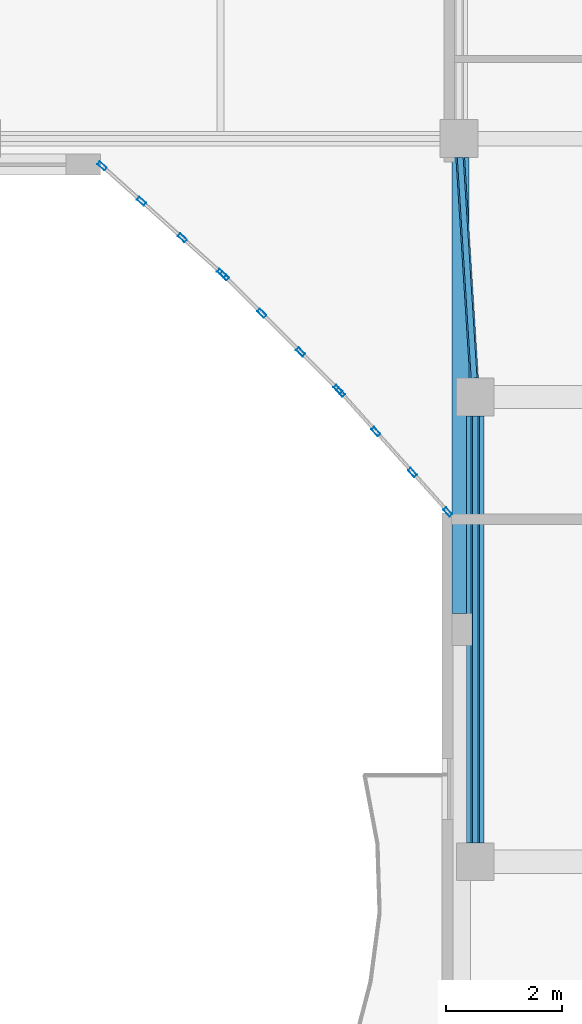
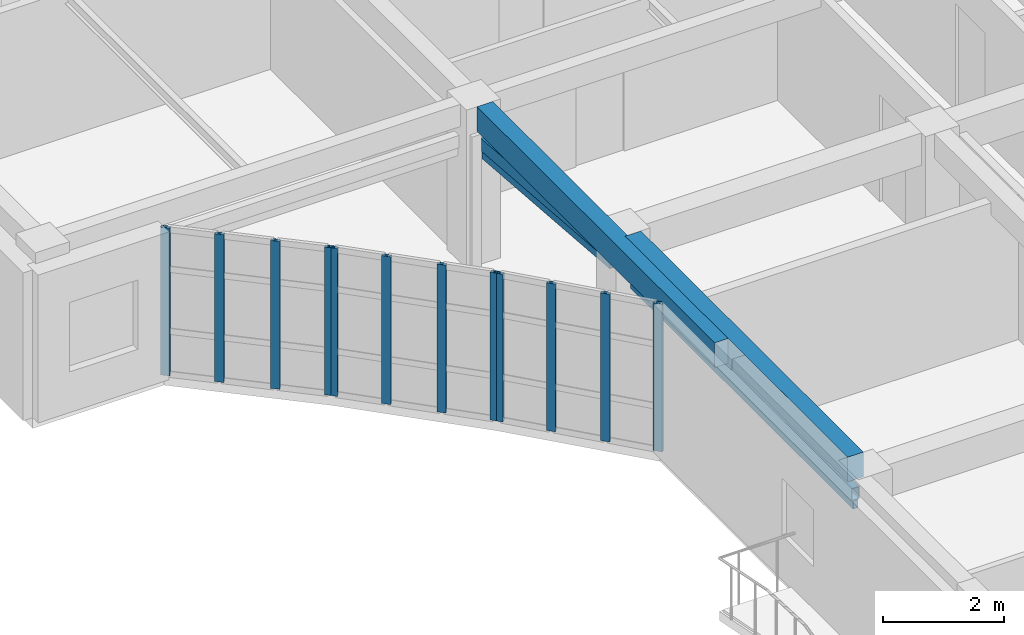
# One storey, part 12 of 89: 16 members, 2 beams, 3 elements without a shape of their own.
"""IFC4 building model written with IfcOpenShell, lengths in metres."""

from ifc_helpers import new_model, si_unit, direction, frame, origin, origin_2d, place, context, subcontext, project, spatial, rectangle, hollow_rectangle, extrude, material, layer, layer_set, material_profile, profile_set, type_object, element, aggregate, save


model = new_model("IFC4")

# Units and contexts
model_context = context("Model", 3, precision=1e-05, world=origin(), true_north=direction((0.0, 1.0)))
body_context = subcontext(model_context, "Body", "Model", "MODEL_VIEW")
ifc_project = project(units=[si_unit("LENGTHUNIT", "METRE"), si_unit("AREAUNIT", "SQUARE_METRE"), si_unit("VOLUMEUNIT", "CUBIC_METRE"), si_unit("PLANEANGLEUNIT", "RADIAN"), si_unit("MASSUNIT", "GRAM", prefix="KILO")], contexts=[model_context])

# Site, building, storey
site_placement = place(None, origin())
site = spatial("IfcSite", under=ifc_project, at=site_placement, CompositionType="ELEMENT")
building_placement = place(site_placement, origin())
building = spatial("IfcBuilding", under=site, at=building_placement, Name="Keldmere Railside Commons", CompositionType="ELEMENT")
storey_placement = place(building_placement, frame((0.0, 0.0, 7.360107421875)))
storey = spatial("IfcBuildingStorey", under=building, at=storey_placement, Name="L02", CompositionType="ELEMENT", Elevation=7.360107421875)

# Members
ifc_material_1 = material(Name="Steel F-36 (S355)", Category="steel")
ifc_material_profile_1 = material_profile(ifc_material_1, hollow_rectangle(XDim=0.14990234375, YDim=0.25, WallThickness=0.010009765625, at=origin_2d()), Name="RHS-250x150x10")
ifc_profile_set_1 = profile_set([ifc_material_profile_1], Name="Steel F-36 (S355)")
member_type_1 = type_object("IfcMemberType", Name="Balcony Continuous Planted Trough RHS250x150", PredefinedType="CHORD", material=ifc_profile_set_1)
member_1_placement = place(storey_placement, frame((48.449951171875, 88.324951171875, 2.414794921875), z_axis=(0.0, 1.0, 0.0), x_axis=(-1.0, 0.0, 0.0)))
element("IfcMember", 1, at=member_1_placement, inside=storey, type_object=member_type_1, Name="PLT-1 MEM-BPLT-0253", PredefinedType="CHORD", context=body_context, shape_type="SweptSolid", body=[
    extrude(hollow_rectangle(XDim=0.14990234375, YDim=0.25, WallThickness=0.010009765625, at=origin_2d()), origin(), (0.0, 0.0, 1.0), 7.35009765625),
])
member_2_placement = place(storey_placement, frame((48.4296875, 96.324462890625, 2.414794921875), z_axis=(-0.062821266469, 0.998024793519, 0.0), x_axis=(-0.998024793519, -0.062821266469, 0.0)))
element("IfcMember", 2, at=member_2_placement, inside=storey, type_object=member_type_1, Name="PLT-1 MEM-BPLT-0255", PredefinedType="CHORD", context=body_context, shape_type="SweptSolid", body=[
    extrude(hollow_rectangle(XDim=0.14990234375, YDim=0.25, WallThickness=0.010009765625, at=origin_2d()), origin(), (0.0, 0.0, 1.0), 3.80859375),
])

# Beams
ifc_material_2 = material(Name="Concrete H-30 (C30/37)", Category="concrete")
ifc_material_profile_2 = material_profile(ifc_material_2, rectangle(XDim=0.300048828125, YDim=0.5, at=origin_2d()), Name="RC-300x500")
ifc_profile_set_2 = profile_set([ifc_material_profile_2], Name="Concrete H-30 (C30/37)")
beam_type = type_object("IfcBeamType", Name="Secondary Frame RC Beam 300x500", PredefinedType="BEAM", material=ifc_profile_set_2)
beam_1_placement = place(storey_placement, frame((48.195068359375, 92.27490234375, 2.949951171875), z_axis=(0.0, 1.0, 0.0), x_axis=(-1.0, 0.0, 0.0)))
element("IfcBeam", 3, at=beam_1_placement, inside=storey, type_object=beam_type, Name="BG-5 BM-L02-1179", PredefinedType="BEAM", context=body_context, shape_type="SweptSolid", body=[
    extrude(rectangle(XDim=0.300048828125, YDim=0.5, at=origin_2d()), origin(), (0.0, 0.0, 1.0), 7.85009765625),
])
beam_2_placement = place(storey_placement, frame((48.449951171875, 88.324951171875, 2.949951171875), z_axis=(0.0, 1.0, 0.0), x_axis=(-1.0, 0.0, 0.0)))
element("IfcBeam", 4, at=beam_2_placement, inside=storey, type_object=beam_type, Name="BG-5 BM-L02-1183", PredefinedType="BEAM", context=body_context, shape_type="SweptSolid", body=[
    extrude(rectangle(XDim=0.300048828125, YDim=0.5, at=origin_2d()), origin(), (0.0, 0.0, 1.0), 7.35009765625),
])

# Members
ifc_material_profile_3 = material_profile(ifc_material_1, hollow_rectangle(XDim=0.10009765625, YDim=0.159912109375, WallThickness=0.008056640625, at=origin_2d()), Name="RHS-160x100x8")
ifc_profile_set_3 = profile_set([ifc_material_profile_3], Name="Steel F-36 (S355)")
member_type_2 = type_object("IfcMemberType", Name="Solar Brise-Soleil Louvre Fin RHS160x100", PredefinedType="STRUT", material=ifc_profile_set_3)
member_3_placement = place(storey_placement, frame((48.449951171875, 88.324951171875, 2.199951171875), z_axis=(0.0, 1.0, 0.0), x_axis=(-1.0, 0.0, 0.0)))
element("IfcMember", 5, at=member_3_placement, inside=storey, type_object=member_type_2, Name="BSF-1 MEM-BSF-0254", PredefinedType="STRUT", context=body_context, shape_type="SweptSolid", body=[
    extrude(hollow_rectangle(XDim=0.10009765625, YDim=0.159912109375, WallThickness=0.008056640625, at=origin_2d()), origin(), (0.0, 0.0, 1.0), 7.35009765625),
])
member_4_placement = place(storey_placement, frame((48.4296875, 96.324462890625, 2.199951171875), z_axis=(-0.062821266469, 0.998024793519, 0.0), x_axis=(-0.998024793519, -0.062821266469, 0.0)))
element("IfcMember", 6, at=member_4_placement, inside=storey, type_object=member_type_2, Name="BSF-1 MEM-BSF-0256", PredefinedType="STRUT", context=body_context, shape_type="SweptSolid", body=[
    extrude(hollow_rectangle(XDim=0.10009765625, YDim=0.159912109375, WallThickness=0.008056640625, at=origin_2d()), origin(), (0.0, 0.0, 1.0), 3.80859375),
])

# Curtain wall, members
ifc_material_3 = material(Name="Thermally Broken Aluminium", Category="aluminium")
ifc_layer_1 = layer(ifc_material_3, 0.159912109375, Name="Court Chord Wintergarden CW 4800x2850")
ifc_layer_set_1 = layer_set([ifc_layer_1], Name="Thermally Broken Aluminium")
curtain_wall_type_1 = type_object("IfcCurtainWallType", Name="Court Chord Wintergarden CW 4800x2850", PredefinedType="NOTDEFINED", material=ifc_layer_set_1)
curtain_wall_1_placement = place(storey_placement, origin())
curtain_wall_1 = element("IfcCurtainWall", 7, at=curtain_wall_1_placement, inside=storey, type_object=curtain_wall_type_1, Name="CW-12 CW-L02-040", PredefinedType="NOTDEFINED")
ifc_material_profile_4 = material_profile(ifc_material_3, hollow_rectangle(XDim=0.06494140625, YDim=0.159912109375, WallThickness=0.00390625, at=origin_2d()), Name="ALU-MULL-65x160")
ifc_profile_set_4 = profile_set([ifc_material_profile_4], Name="Thermally Broken Aluminium")
member_type_3 = type_object("IfcMemberType", Name="Unitised Curtain Wall Mullion 65x160", PredefinedType="MULLION", material=ifc_profile_set_4)
member_5_placement = place(storey_placement, frame((44.083740234375, 98.131591796875, 0.0), z_axis=(0.0, 0.0, 1.0), x_axis=(-0.667558519879, -0.744557333277, 0.0)))
member_5 = element("IfcMember", 8, at=member_5_placement, type_object=member_type_3, Name="CW-12 mullion 1", PredefinedType="MULLION", context=body_context, shape_type="SweptSolid", body=[
    extrude(hollow_rectangle(XDim=0.06494140625, YDim=0.159912109375, WallThickness=0.00390625, at=origin_2d()), origin(), (0.0, 0.0, 1.0), 2.97998046875),
])
member_6_placement = place(storey_placement, frame((43.4052734375, 98.739990234375, 0.0), z_axis=(0.0, 0.0, 1.0), x_axis=(-0.667558519879, -0.744557333277, 0.0)))
member_6 = element("IfcMember", 9, at=member_6_placement, type_object=member_type_3, Name="CW-12 mullion 2", PredefinedType="MULLION", context=body_context, shape_type="SweptSolid", body=[
    extrude(hollow_rectangle(XDim=0.06494140625, YDim=0.159912109375, WallThickness=0.00390625, at=origin_2d()), origin(), (0.0, 0.0, 1.0), 2.97998046875),
])
member_7_placement = place(storey_placement, frame((42.70263671875, 99.3701171875, 0.0), z_axis=(0.0, 0.0, 1.0), x_axis=(-0.667558519879, -0.744557333277, 0.0)))
member_7 = element("IfcMember", 10, at=member_7_placement, type_object=member_type_3, Name="CW-12 mullion 3", PredefinedType="MULLION", context=body_context, shape_type="SweptSolid", body=[
    extrude(hollow_rectangle(XDim=0.06494140625, YDim=0.159912109375, WallThickness=0.00390625, at=origin_2d()), origin(), (0.0, 0.0, 1.0), 2.97998046875),
])
member_8_placement = place(storey_placement, frame((42.024169921875, 99.978271484375, 0.0), z_axis=(0.0, 0.0, 1.0), x_axis=(-0.667558519879, -0.744557333277, 0.0)))
member_8 = element("IfcMember", 11, at=member_8_placement, type_object=member_type_3, Name="CW-12 mullion 4", PredefinedType="MULLION", context=body_context, shape_type="SweptSolid", body=[
    extrude(hollow_rectangle(XDim=0.06494140625, YDim=0.159912109375, WallThickness=0.00390625, at=origin_2d()), origin(), (0.0, 0.0, 1.0), 2.97998046875),
])
aggregate(curtain_wall_1, [member_5, member_6, member_7, member_8])

ifc_layer_2 = layer(ifc_material_3, 0.159912109375, Name="Court Chord Wintergarden CW 5400x2850")
ifc_layer_set_2 = layer_set([ifc_layer_2], Name="Thermally Broken Aluminium")
curtain_wall_type_2 = type_object("IfcCurtainWallType", Name="Court Chord Wintergarden CW 5400x2850", PredefinedType="NOTDEFINED", material=ifc_layer_set_2)
curtain_wall_2_placement = place(storey_placement, origin())
curtain_wall_2 = element("IfcCurtainWall", 12, at=curtain_wall_2_placement, inside=storey, type_object=curtain_wall_type_2, Name="CW-13 CW-L02-041", PredefinedType="NOTDEFINED")
member_9_placement = place(storey_placement, frame((46.0869140625, 96.130859375, 0.0), z_axis=(0.0, 0.0, 1.0), x_axis=(-0.707106781187, -0.707106781187, 0.0)))
member_9 = element("IfcMember", 13, at=member_9_placement, type_object=member_type_3, Name="CW-13 mullion 1", PredefinedType="MULLION", context=body_context, shape_type="SweptSolid", body=[
    extrude(hollow_rectangle(XDim=0.06494140625, YDim=0.159912109375, WallThickness=0.00390625, at=origin_2d()), origin(), (0.0, 0.0, 1.0), 2.97998046875),
])
member_10_placement = place(storey_placement, frame((45.442626953125, 96.775390625, 0.0), z_axis=(0.0, 0.0, 1.0), x_axis=(-0.707106781187, -0.707106781187, 0.0)))
member_10 = element("IfcMember", 14, at=member_10_placement, type_object=member_type_3, Name="CW-13 mullion 2", PredefinedType="MULLION", context=body_context, shape_type="SweptSolid", body=[
    extrude(hollow_rectangle(XDim=0.06494140625, YDim=0.159912109375, WallThickness=0.00390625, at=origin_2d()), origin(), (0.0, 0.0, 1.0), 2.97998046875),
])
member_11_placement = place(storey_placement, frame((44.775390625, 97.442626953125, 0.0), z_axis=(0.0, 0.0, 1.0), x_axis=(-0.707106781187, -0.707106781187, 0.0)))
member_11 = element("IfcMember", 15, at=member_11_placement, type_object=member_type_3, Name="CW-13 mullion 3", PredefinedType="MULLION", context=body_context, shape_type="SweptSolid", body=[
    extrude(hollow_rectangle(XDim=0.06494140625, YDim=0.159912109375, WallThickness=0.00390625, at=origin_2d()), origin(), (0.0, 0.0, 1.0), 2.97998046875),
])
member_12_placement = place(storey_placement, frame((44.130859375, 98.0869140625, 0.0), z_axis=(0.0, 0.0, 1.0), x_axis=(-0.707106781187, -0.707106781187, 0.0)))
member_12 = element("IfcMember", 16, at=member_12_placement, type_object=member_type_3, Name="CW-13 mullion 4", PredefinedType="MULLION", context=body_context, shape_type="SweptSolid", body=[
    extrude(hollow_rectangle(XDim=0.06494140625, YDim=0.159912109375, WallThickness=0.00390625, at=origin_2d()), origin(), (0.0, 0.0, 1.0), 2.97998046875),
])
aggregate(curtain_wall_2, [member_9, member_10, member_11, member_12])

curtain_wall_3_placement = place(storey_placement, origin())
curtain_wall_3 = element("IfcCurtainWall", 17, at=curtain_wall_3_placement, inside=storey, type_object=curtain_wall_type_1, Name="CW-12 CW-L02-042", PredefinedType="NOTDEFINED")
member_13_placement = place(storey_placement, frame((47.978271484375, 94.024169921875, 0.0), z_axis=(0.0, 0.0, 1.0), x_axis=(-0.744557333277, -0.667558519879, 0.0)))
member_13 = element("IfcMember", 18, at=member_13_placement, type_object=member_type_3, Name="CW-12 mullion 1", PredefinedType="MULLION", context=body_context, shape_type="SweptSolid", body=[
    extrude(hollow_rectangle(XDim=0.06494140625, YDim=0.159912109375, WallThickness=0.00390625, at=origin_2d()), origin(), (0.0, 0.0, 1.0), 2.97998046875),
])
member_14_placement = place(storey_placement, frame((47.3701171875, 94.70263671875, 0.0), z_axis=(0.0, 0.0, 1.0), x_axis=(-0.744557333277, -0.667558519879, 0.0)))
member_14 = element("IfcMember", 19, at=member_14_placement, type_object=member_type_3, Name="CW-12 mullion 2", PredefinedType="MULLION", context=body_context, shape_type="SweptSolid", body=[
    extrude(hollow_rectangle(XDim=0.06494140625, YDim=0.159912109375, WallThickness=0.00390625, at=origin_2d()), origin(), (0.0, 0.0, 1.0), 2.97998046875),
])
member_15_placement = place(storey_placement, frame((46.739990234375, 95.4052734375, 0.0), z_axis=(0.0, 0.0, 1.0), x_axis=(-0.744557333277, -0.667558519879, 0.0)))
member_15 = element("IfcMember", 20, at=member_15_placement, type_object=member_type_3, Name="CW-12 mullion 3", PredefinedType="MULLION", context=body_context, shape_type="SweptSolid", body=[
    extrude(hollow_rectangle(XDim=0.06494140625, YDim=0.159912109375, WallThickness=0.00390625, at=origin_2d()), origin(), (0.0, 0.0, 1.0), 2.97998046875),
])
member_16_placement = place(storey_placement, frame((46.131591796875, 96.083740234375, 0.0), z_axis=(0.0, 0.0, 1.0), x_axis=(-0.744557333277, -0.667558519879, 0.0)))
member_16 = element("IfcMember", 21, at=member_16_placement, type_object=member_type_3, Name="CW-12 mullion 4", PredefinedType="MULLION", context=body_context, shape_type="SweptSolid", body=[
    extrude(hollow_rectangle(XDim=0.06494140625, YDim=0.159912109375, WallThickness=0.00390625, at=origin_2d()), origin(), (0.0, 0.0, 1.0), 2.97998046875),
])
aggregate(curtain_wall_3, [member_13, member_14, member_15, member_16])

save(model, "model.ifc")
